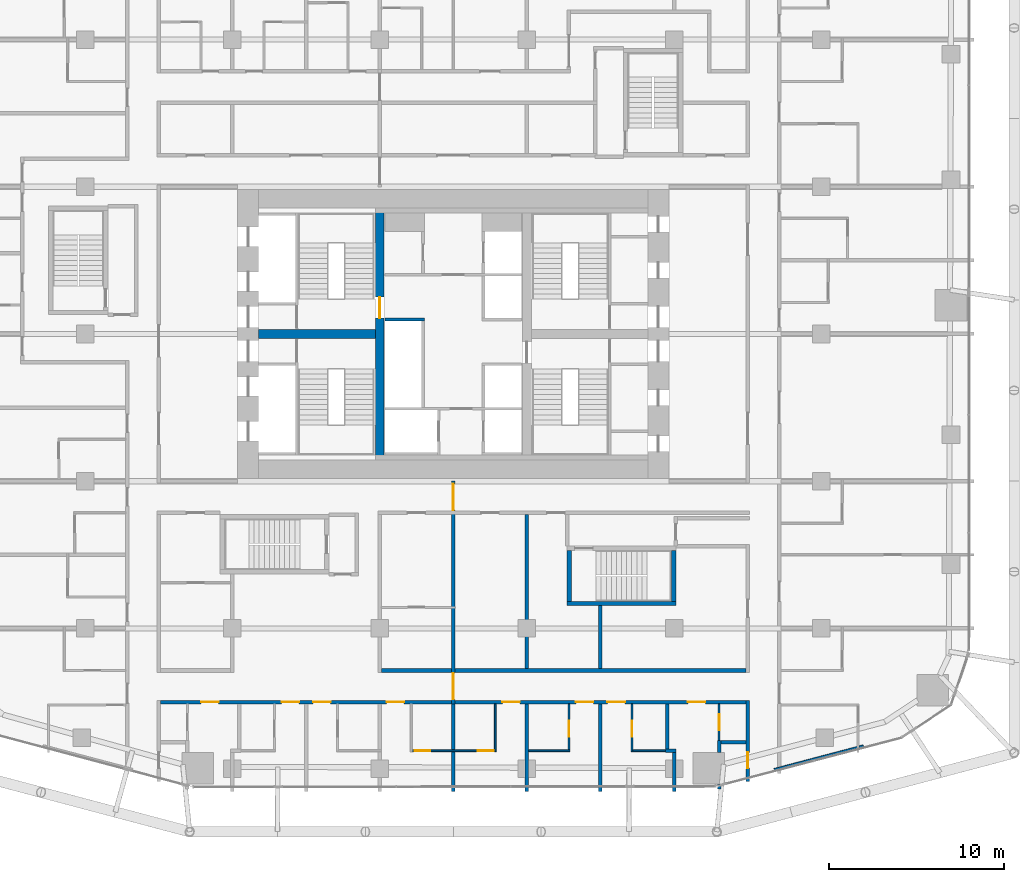
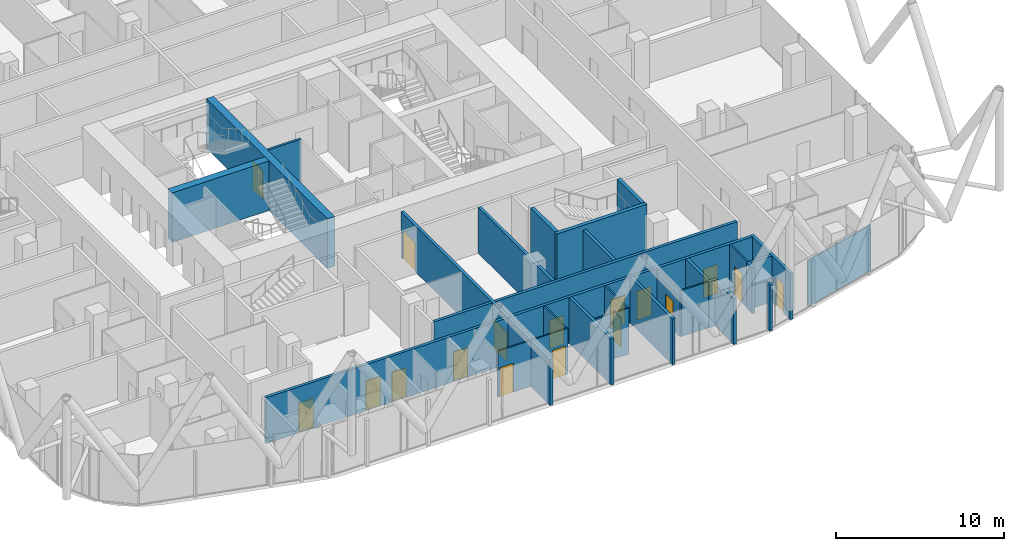
# One storey, part 30 of 38: 29 walls, 17 doors, 17 openings.
"""IFC4 building model written with IfcOpenShell, lengths in metres."""

import ifcopenshell
import ifcopenshell.guid

model = None  # the IFC model being written
_history = None  # IfcOwnerHistory: only IFC2X3 demands one
_inside = {}  # id of a spatial element -> (the spatial element, [elements in it])
_under = {}  # id of a project, library or spatial element -> (it, [spatial elements below it])
_declared = {}  # id of a project -> (the project, [libraries it declares])
_typed = {}  # id of a type object -> (the type object, [elements of that type])
_made_of = {}  # id of a material, layer set ... -> (it, [elements and type objects made of it])


def new_model(schema):
    """Start an empty IFC model of exactly this schema.

    Asked for "IFC4X3", IfcOpenShell would pick the latest addendum, in which some entities
    have other attributes; the version numbers below select the first issue.
    IFC2X3 requires an IfcOwnerHistory on every rooted entity: one is made here for all.
    """
    global model, _history
    if schema == "IFC4X3":
        model = ifcopenshell.file(schema_version=(4, 3, 0, 0))
    else:
        model = ifcopenshell.file(schema=schema)
    _inside.clear()
    _under.clear()
    _declared.clear()
    _typed.clear()
    _made_of.clear()
    _history = None
    if model.schema == "IFC2X3":
        org = make("IfcOrganization", Name="unknown")
        user = make(
            "IfcPersonAndOrganization",
            ThePerson=make("IfcPerson", FamilyName="unknown"),
            TheOrganization=org,
        )
        app = make(
            "IfcApplication",
            ApplicationDeveloper=org,
            Version="unknown",
            ApplicationFullName="unknown",
            ApplicationIdentifier="unknown",
        )
        _history = make(
            "IfcOwnerHistory",
            OwningUser=user,
            OwningApplication=app,
            ChangeAction="ADDED",
            CreationDate=0,
        )
    return model


def make(cls, **values):
    """One entity of the class cls with the attributes given. An attribute that is None is left unset."""
    return model.create_entity(
        cls, **{name: value for name, value in values.items() if value is not None}
    )


def rooted(cls, **values):
    """An entity with a GlobalId (a new one), such as an element, a storey or a relation."""
    return make(cls, GlobalId=ifcopenshell.guid.new(), OwnerHistory=_history, **values)


def si_unit(unit_type, name, prefix=None):
    """IfcSIUnit, for example si_unit("LENGTHUNIT", "METRE", prefix="MILLI")."""
    return make("IfcSIUnit", UnitType=unit_type, Prefix=prefix, Name=name)


def assignment(units):
    """IfcUnitAssignment: the units of a project."""
    return None if units is None else make("IfcUnitAssignment", Units=units)


def point(xyz):
    """IfcCartesianPoint."""
    return None if xyz is None else make("IfcCartesianPoint", Coordinates=xyz)


def direction(xyz):
    """IfcDirection."""
    return None if xyz is None else make("IfcDirection", DirectionRatios=xyz)


def frame(location, z_axis=None, x_axis=None):
    """IfcAxis2Placement3D, a coordinate frame: its origin and axes. An axis left out is left unset."""
    return make(
        "IfcAxis2Placement3D",
        Location=point(location),
        Axis=direction(z_axis),
        RefDirection=direction(x_axis),
    )


def frame_2d(location, x_axis=None):
    """IfcAxis2Placement2D, a coordinate frame in the plane: its origin and x axis."""
    return make(
        "IfcAxis2Placement2D", Location=point(location), RefDirection=direction(x_axis)
    )


def origin():
    """The frame at (0, 0, 0) with its axes left unset."""
    return frame((0.0, 0.0, 0.0))


def place(relative_to, where):
    """IfcLocalPlacement: puts the frame where relative to a parent placement (None: the world)."""
    return make(
        "IfcLocalPlacement", PlacementRelTo=relative_to, RelativePlacement=where
    )


def context(
    kind, dimensions, precision=None, world=None, true_north=None, identifier=None
):
    """IfcGeometricRepresentationContext, for example the 3D "Model" context."""
    return make(
        "IfcGeometricRepresentationContext",
        ContextIdentifier=identifier,
        ContextType=kind,
        CoordinateSpaceDimension=dimensions,
        Precision=precision,
        WorldCoordinateSystem=world,
        TrueNorth=true_north,
    )


def subcontext(parent, identifier, kind, view, scale=None):
    """IfcGeometricRepresentationSubContext, for example "Body" below "Model"."""
    return make(
        "IfcGeometricRepresentationSubContext",
        ContextIdentifier=identifier,
        ContextType=kind,
        ParentContext=parent,
        TargetScale=scale,
        TargetView=view,
    )


def project(units=None, contexts=None):
    """IfcProject with its units and contexts."""
    return rooted(
        "IfcProject",
        Name="project",
        RepresentationContexts=contexts,
        UnitsInContext=assignment(units),
    )


def spatial(cls, under=None, at=None, **own):
    """A site, building, storey or space (cls), placed at a placement, below another one or the project."""
    s = rooted(cls, ObjectPlacement=at, **own)
    if under is not None:
        _under.setdefault(under.id(), (under, []))[1].append(s)
    return s


def profile(cls, at=None, kind="AREA", **sizes):
    """A parametric profile (cls). Its sizes go by their IFC names, for example OverallWidth=200.0."""
    return make(cls, ProfileType=kind, Position=at, **sizes)


def rectangle(**sizes):
    """IfcRectangleProfileDef."""
    return profile("IfcRectangleProfileDef", **sizes)


def extrude(swept, where, along, depth):
    """IfcExtrudedAreaSolid: the profile swept, set in the frame where, extruded along a direction by depth."""
    return make(
        "IfcExtrudedAreaSolid",
        SweptArea=swept,
        Position=where,
        ExtrudedDirection=direction(along),
        Depth=depth,
    )


def shape(context_of_items, identifier, shape_type, items):
    """IfcShapeRepresentation: the items that make up one representation, for example the "Body"."""
    return make(
        "IfcShapeRepresentation",
        ContextOfItems=context_of_items,
        RepresentationIdentifier=identifier,
        RepresentationType=shape_type,
        Items=items,
    )


def material(Name=None, Category=None):
    """IfcMaterial."""
    return make("IfcMaterial", Name=Name, Category=Category)


def layer(
    of_material, thickness, ventilated=None, Name=None, Category=None, Priority=None
):
    """IfcMaterialLayer: one layer of a wall or slab, of a material (None: an air gap)."""
    return make(
        "IfcMaterialLayer",
        Material=of_material,
        LayerThickness=thickness,
        IsVentilated=ventilated,
        Name=Name,
        Category=Category,
        Priority=Priority,
    )


def layer_set(layers, Name=None):
    """IfcMaterialLayerSet."""
    return make("IfcMaterialLayerSet", MaterialLayers=layers, LayerSetName=Name)


def made_of(thing, what):
    """Note that an element or type object is made of a material, layer set ...; save() writes the relation."""
    if what is not None:
        _made_of.setdefault(what.id(), (what, []))[1].append(thing)
    return thing


def type_object(cls, material=None, **own):
    """A type object (cls), such as IfcWallType, which elements share."""
    return made_of(rooted(cls, **own), material)


def element(
    cls,
    number,
    at=None,
    inside=None,
    cuts=None,
    type_object=None,
    material=None,
    context=None,
    identifier="Body",
    shape_type=None,
    held_by="IfcProductDefinitionShape",
    body=None,
    shapes=None,
    **own,
):
    """One element of the class cls, such as IfcWall. Its Tag is "e" and its number.

    at: its placement. inside: the storey or other place that contains it. cuts: it is an
    opening in that element (IfcRelVoidsElement). A single representation is given by context,
    identifier, shape_type and body (its items); several are given by shapes. held_by: the class
    of the entity that holds the representations. save() writes the other relations.
    """
    e = rooted(cls, Tag="e%d" % number, ObjectPlacement=at, **own)
    if body is not None:
        shapes = [shape(context, identifier, shape_type, body)]
    if shapes is not None:
        e.Representation = make(held_by, Representations=shapes)
    if inside is not None:
        _inside.setdefault(inside.id(), (inside, []))[1].append(e)
    if cuts is not None:
        rooted(
            "IfcRelVoidsElement", RelatingBuildingElement=cuts, RelatedOpeningElement=e
        )
    if type_object is not None:
        _typed.setdefault(type_object.id(), (type_object, []))[1].append(e)
    return made_of(e, material)


def fill(opening, filler):
    """IfcRelFillsElement: the door or window that sits in an opening."""
    return rooted(
        "IfcRelFillsElement",
        RelatingOpeningElement=opening,
        RelatedBuildingElement=filler,
    )


def aggregate(whole, parts):
    """IfcRelAggregates: a whole, such as a stair, and the parts it consists of."""
    return rooted("IfcRelAggregates", RelatingObject=whole, RelatedObjects=parts)


def save(model, path):
    """Write the relations noted so far, then the file.

    IfcRelAggregates (storeys below a building ...), IfcRelContainedInSpatialStructure (elements
    in a storey), IfcRelDefinesByType, IfcRelAssociatesMaterial and IfcRelDeclares: one each for
    every whole, place, type object, material and project.
    """
    for whole, parts in _under.values():
        aggregate(whole, parts)
    for where, things in _inside.values():
        rooted(
            "IfcRelContainedInSpatialStructure",
            RelatedElements=things,
            RelatingStructure=where,
        )
    for kind, things in _typed.values():
        rooted("IfcRelDefinesByType", RelatedObjects=things, RelatingType=kind)
    for what, things in _made_of.values():
        rooted("IfcRelAssociatesMaterial", RelatedObjects=things, RelatingMaterial=what)
    for by, libraries in _declared.values():
        rooted("IfcRelDeclares", RelatingContext=by, RelatedDefinitions=libraries)
    model.write(path)


model = new_model("IFC4")

# Units and contexts
model_context = context("Model", 3, precision=1e-05, world=origin(), true_north=direction((0.0, 1.0)))
body_context = subcontext(model_context, "Body", "Model", "MODEL_VIEW")
ifc_project = project(units=[si_unit("LENGTHUNIT", "METRE"), si_unit("AREAUNIT", "SQUARE_METRE"), si_unit("VOLUMEUNIT", "CUBIC_METRE"), si_unit("PLANEANGLEUNIT", "RADIAN"), si_unit("MASSUNIT", "GRAM", prefix="KILO")], contexts=[model_context])

# Site, building, storey
site_placement = place(None, origin())
site = spatial("IfcSite", under=ifc_project, at=site_placement, CompositionType="ELEMENT")
building_placement = place(site_placement, origin())
building = spatial("IfcBuilding", under=site, at=building_placement, Name="Marenta Gate Hotel Tower", CompositionType="ELEMENT")
storey_placement = place(building_placement, frame((0.0, 0.0, 40.10009765625)))
storey = spatial("IfcBuildingStorey", under=building, at=storey_placement, Name="L07", CompositionType="ELEMENT", Elevation=40.10009765625)

# Wall
ifc_material_1 = material(Name="Concrete blockwork", Category="masonry")
ifc_layer_1 = layer(ifc_material_1, 0.199951171875)
ifc_layer_set_1 = layer_set([ifc_layer_1], Name="Concrete blockwork")
wall_type_1 = type_object("IfcWallType", Name="Compartment wall 200 REI 180", PredefinedType="PARTITIONING", material=ifc_layer_set_1)
wall_1_placement = place(storey_placement, frame((0.0, -17.699951171875, 0.0), z_axis=(0.0, 0.0, 1.0), x_axis=(0.0, 1.0, 0.0)))
element("IfcWall", 1, at=wall_1_placement, inside=storey, type_object=wall_type_1, Name="L07-PTN-W069", PredefinedType="PARTITIONING", context=body_context, shape_type="SweptSolid", body=[
    extrude(rectangle(XDim=5.0, YDim=0.199951171875, at=frame_2d((2.5, 0.0))), origin(), (0.0, 0.0, 1.0), 3.33984375),
])

# Wall, openings, doors
wall_2_placement = place(storey_placement, frame((0.0, -12.699951171875, 0.0), z_axis=(0.0, 0.0, 1.0), x_axis=(0.0, 1.0, 0.0)))
wall_2 = element("IfcWall", 2, at=wall_2_placement, inside=storey, type_object=wall_type_1, Name="L07-PTN-W070", PredefinedType="PARTITIONING", context=body_context, shape_type="SweptSolid", body=[
    extrude(rectangle(XDim=12.699951171875, YDim=0.199951171875, at=frame_2d((6.35009765625, 0.0))), origin(), (0.0, 0.0, 1.0), 3.33984375),
])
opening_1_placement = place(wall_2_placement, frame((11.050048828125, 0.0, 0.0)))
opening_1 = element("IfcOpeningElement", 3, at=opening_1_placement, cuts=wall_2, Name="Opening G02-FD3", PredefinedType="OPENING", context=body_context, shape_type="SweptSolid", body=[
    extrude(rectangle(XDim=1.5, YDim=2.10009765625, at=frame_2d((0.75, 1.050048828125))), frame((0.0, 0.10009765625, 0.0), z_axis=(0.0, -1.0, 0.0), x_axis=(1.0, 0.0, 0.0)), (0.0, 0.0, 1.0), 0.199951171875),
])
opening_2_placement = place(wall_2_placement, frame((0.25, 0.0, 0.0)))
opening_2 = element("IfcOpeningElement", 4, at=opening_2_placement, cuts=wall_2, Name="Opening G02-FD4", PredefinedType="OPENING", context=body_context, shape_type="SweptSolid", body=[
    extrude(rectangle(XDim=1.5, YDim=2.10009765625, at=frame_2d((0.75, 1.050048828125))), frame((0.0, 0.10009765625, 0.0), z_axis=(0.0, -1.0, 0.0), x_axis=(1.0, 0.0, 0.0)), (0.0, 0.0, 1.0), 0.199951171875),
])
ifc_material_2 = material(Name="Hollow steel door set", Category="steel")
door_type_1 = type_object("IfcDoorType", Name="Compartment fire door 1500x2100 EI 60", OperationType="DOUBLE_DOOR_DOUBLE_SWING", PredefinedType="DOOR", material=ifc_material_2)
door_1_placement = place(opening_1_placement, origin())
door_1 = element("IfcDoor", 5, at=door_1_placement, inside=storey, type_object=door_type_1, Name="L07-PD-FD03", OperationType="DOUBLE_DOOR_DOUBLE_SWING", OverallHeight=2.10009765625, OverallWidth=1.5, PredefinedType="DOOR", context=body_context, shape_type="SweptSolid", body=[
    extrude(rectangle(XDim=1.5, YDim=2.10009765625, at=frame_2d((0.75, 1.050048828125))), frame((0.0, 0.02490234375, 0.0), z_axis=(0.0, -1.0, 0.0), x_axis=(1.0, 0.0, 0.0)), (0.0, 0.0, 1.0), 0.050048828125),
])
fill(opening_1, door_1)
door_2_placement = place(opening_2_placement, origin())
door_2 = element("IfcDoor", 6, at=door_2_placement, inside=storey, type_object=door_type_1, Name="L07-PD-FD04", OperationType="DOUBLE_DOOR_DOUBLE_SWING", OverallHeight=2.10009765625, OverallWidth=1.5, PredefinedType="DOOR", context=body_context, shape_type="SweptSolid", body=[
    extrude(rectangle(XDim=1.5, YDim=2.10009765625, at=frame_2d((0.75, 1.050048828125))), frame((0.0, 0.02490234375, 0.0), z_axis=(0.0, -1.0, 0.0), x_axis=(1.0, 0.0, 0.0)), (0.0, 0.0, 1.0), 0.050048828125),
])
fill(opening_2, door_2)

# Wall
ifc_material_3 = material(Name="Concrete C40", Category="concrete")
ifc_layer_2 = layer(ifc_material_3, 0.14990234375)
ifc_layer_set_2 = layer_set([ifc_layer_2], Name="Concrete C40")
wall_type_2 = type_object("IfcWallType", Name="Core shaft wall 150 REI 180", PredefinedType="SHEAR", material=ifc_layer_set_2)
wall_3_placement = place(storey_placement, frame((-3.89990234375, 9.22509765625, 0.0), z_axis=(0.0, 0.0, 1.0), x_axis=(1.0, 0.0, 0.0)))
element("IfcWall", 7, at=wall_3_placement, inside=storey, type_object=wall_type_2, Name="L07-SHF-CW-W-sep", PredefinedType="SHEAR", context=body_context, shape_type="SweptSolid", body=[
    extrude(rectangle(XDim=2.25, YDim=0.14990234375, at=frame_2d((1.125, 0.0))), origin(), (0.0, 0.0, 1.0), 3.599853515625),
])

# Wall, opening, door
ifc_material_4 = material(Name="Concrete C80", Category="concrete")
ifc_layer_3 = layer(ifc_material_4, 0.5)
ifc_layer_set_3 = layer_set([ifc_layer_3], Name="Concrete C80")
wall_type_3 = type_object("IfcWallType", Name="Core web 500 C80", PredefinedType="SHEAR", material=ifc_layer_set_3)
wall_4_placement = place(storey_placement, frame((-4.199951171875, 1.199951171875, 0.0), z_axis=(0.0, 0.0, 1.0), x_axis=(0.0, 1.0, 0.0)))
wall_4 = element("IfcWall", 8, at=wall_4_placement, inside=storey, type_object=wall_type_3, Name="L07-CORE-W1", PredefinedType="SHEAR", context=body_context, shape_type="SweptSolid", body=[
    extrude(rectangle(XDim=14.400146484375, YDim=0.5, at=frame_2d((7.2001953125, 0.0))), origin(), (0.0, 0.0, 1.0), 3.599853515625),
])
opening_3_placement = place(wall_4_placement, frame((8.10009765625, 0.0, 0.0)))
opening_3 = element("IfcOpeningElement", 9, at=opening_3_placement, cuts=wall_4, Name="Opening WD-W", PredefinedType="OPENING", context=body_context, shape_type="SweptSolid", body=[
    extrude(rectangle(XDim=1.199951171875, YDim=2.10009765625, at=frame_2d((0.60009765625, 1.050048828125))), frame((0.0, 0.25, 0.0), z_axis=(0.0, -1.0, 0.0), x_axis=(1.0, 0.0, 0.0)), (0.0, 0.0, 1.0), 0.5),
])
ifc_material_5 = material(Name="Steel", Category="steel")
door_type_2 = type_object("IfcDoorType", Name="Core stair door 1200x2100 FD60", OperationType="SINGLE_SWING_LEFT", PredefinedType="DOOR", material=ifc_material_5)
door_3_placement = place(opening_3_placement, origin())
door_3 = element("IfcDoor", 10, at=door_3_placement, inside=storey, type_object=door_type_2, Name="WD-W", OperationType="SINGLE_SWING_LEFT", OverallHeight=2.10009765625, OverallWidth=1.199951171875, PredefinedType="DOOR", context=body_context, shape_type="SweptSolid", body=[
    extrude(rectangle(XDim=1.199951171875, YDim=2.10009765625, at=frame_2d((0.60009765625, 1.050048828125))), frame((0.0, 0.02490234375, 0.0), z_axis=(0.0, -1.0, 0.0), x_axis=(1.0, 0.0, 0.0)), (0.0, 0.0, 1.0), 0.050048828125),
])
fill(opening_3, door_3)

# Walls
wall_5_placement = place(storey_placement, frame((-11.10009765625, 8.39990234375, 0.0), z_axis=(0.0, 0.0, 1.0), x_axis=(1.0, 0.0, 0.0)))
element("IfcWall", 11, at=wall_5_placement, inside=storey, type_object=wall_type_3, Name="L07-CORE-W3", PredefinedType="SHEAR", context=body_context, shape_type="SweptSolid", body=[
    extrude(rectangle(XDim=6.650146484375, YDim=0.5, at=frame_2d((3.3251953125, 0.0))), origin(), (0.0, 0.0, 1.0), 3.599853515625),
])
ifc_material_6 = material(Name="Concrete C40", Category="concrete")
ifc_layer_4 = layer(ifc_material_6, 0.25)
ifc_layer_set_4 = layer_set([ifc_layer_4], Name="Concrete C40")
wall_type_4 = type_object("IfcWallType", Name="Remote stair enclosure wall 250 REI 180", PredefinedType="SHEAR", material=ifc_layer_set_4)
wall_6_placement = place(storey_placement, frame((6.5, -6.97509765625, 0.099853515625), z_axis=(0.0, 0.0, 1.0), x_axis=(1.0, 0.0, 0.0)))
element("IfcWall", 12, at=wall_6_placement, inside=storey, type_object=wall_type_4, Name="L07-RS-Z1-1-W1", PredefinedType="SHEAR", context=body_context, shape_type="SweptSolid", body=[
    extrude(rectangle(XDim=6.199951171875, YDim=0.25, at=frame_2d((3.10009765625, 0.0))), origin(), (0.0, 0.0, 1.0), 3.60009765625),
])
for number, where, z_axis, x_axis, name in (
    (13, (6.625, -6.85009765625, 0.099853515625), (0.0, 0.0, 1.0), (0.0, 1.0, 0.0), "L07-RS-Z1-1-W3"),
    (14, (12.574951171875, -6.85009765625, 0.099853515625), (0.0, 0.0, 1.0), (0.0, 1.0, 0.0), "L07-RS-Z1-1-W4"),
):
    element("IfcWall", number, at=place(storey_placement, frame(where, z_axis=z_axis, x_axis=x_axis)), inside=storey, type_object=wall_type_4, Name=name, PredefinedType="SHEAR", context=body_context, shape_type="SweptSolid", body=[
        extrude(rectangle(XDim=2.900146484375, YDim=0.25, at=frame_2d((1.4501953125, 0.0))), origin(), (0.0, 0.0, 1.0), 3.60009765625),
    ])

# Wall, opening, door
ifc_material_7 = material(Name="Concrete blockwork", Category="masonry")
ifc_layer_5 = layer(ifc_material_7, 0.199951171875)
ifc_layer_set_5 = layer_set([ifc_layer_5], Name="Concrete blockwork")
wall_type_5 = type_object("IfcWallType", Name="Room corridor wall 200 EI 120", PredefinedType="PARTITIONING", material=ifc_layer_set_5)
wall_7_placement = place(storey_placement, frame((16.800048828125, -17.14306640625, 0.0), z_axis=(0.0, 0.0, 1.0), x_axis=(0.0, 1.0, 0.0)))
wall_7 = element("IfcWall", 15, at=wall_7_placement, inside=storey, type_object=wall_type_5, Name="L07-PTN-W013", PredefinedType="PARTITIONING", context=body_context, shape_type="SweptSolid", body=[
    extrude(rectangle(XDim=4.64306640625, YDim=0.199951171875, at=frame_2d((2.321533203125, 0.0))), origin(), (0.0, 0.0, 1.0), 3.33984375),
])
opening_4_placement = place(wall_7_placement, frame((0.77197265625, 0.0, 0.0)))
opening_4 = element("IfcOpeningElement", 16, at=opening_4_placement, cuts=wall_7, Name="Opening G02-81", PredefinedType="OPENING", context=body_context, shape_type="SweptSolid", body=[
    extrude(rectangle(XDim=0.89990234375, YDim=2.10009765625, at=frame_2d((0.449951171875, 1.050048828125))), frame((0.0, 0.10009765625, 0.0), z_axis=(0.0, -1.0, 0.0), x_axis=(1.0, 0.0, 0.0)), (0.0, 0.0, 1.0), 0.199951171875),
])
ifc_material_8 = material(Name="Hollow steel door set", Category="steel")
door_type_3 = type_object("IfcDoorType", Name="Room service door 900x2100 EI 60", OperationType="NOTDEFINED", PredefinedType="DOOR", material=ifc_material_8)
door_4_placement = place(opening_4_placement, origin())
door_4 = element("IfcDoor", 17, at=door_4_placement, inside=storey, type_object=door_type_3, Name="L07-PD-D081", OperationType="SINGLE_SWING_RIGHT", OverallHeight=2.10009765625, OverallWidth=0.89990234375, PredefinedType="DOOR", context=body_context, shape_type="SweptSolid", body=[
    extrude(rectangle(XDim=0.89990234375, YDim=2.10009765625, at=frame_2d((0.449951171875, 1.050048828125))), frame((0.0, 0.02490234375, 0.0), z_axis=(0.0, -1.0, 0.0), x_axis=(1.0, 0.0, 0.0)), (0.0, 0.0, 1.0), 0.050048828125),
])
fill(opening_4, door_4)

# Wall
wall_8_placement = place(storey_placement, frame((-4.10009765625, -10.800048828125, 0.0), z_axis=(0.0, 0.0, 1.0), x_axis=(1.0, 0.0, 0.0)))
element("IfcWall", 18, at=wall_8_placement, inside=storey, type_object=wall_type_5, Name="L07-PTN-W039", PredefinedType="PARTITIONING", context=body_context, shape_type="SweptSolid", body=[
    extrude(rectangle(XDim=20.800048828125, YDim=0.199951171875, at=frame_2d((10.39990234375, 0.0))), origin(), (0.0, 0.0, 1.0), 3.33984375),
])

# Wall, openings, doors
ifc_material_9 = material(Name="Gypsum board on steel stud", Category="steel")
ifc_layer_6 = layer(ifc_material_9, 0.199951171875)
ifc_layer_set_6 = layer_set([ifc_layer_6], Name="Gypsum board on steel stud")
wall_type_6 = type_object("IfcWallType", Name="Room corridor wall 200 EI 60", PredefinedType="PARTITIONING", material=ifc_layer_set_6)
wall_9_placement = place(storey_placement, frame((-16.699951171875, -12.60009765625, 0.0), z_axis=(0.0, 0.0, 1.0), x_axis=(1.0, 0.0, 0.0)))
wall_9 = element("IfcWall", 19, at=wall_9_placement, inside=storey, type_object=wall_type_6, Name="L07-PTN-W034", PredefinedType="PARTITIONING", context=body_context, shape_type="SweptSolid", body=[
    extrude(rectangle(XDim=33.39990234375, YDim=0.199951171875, at=frame_2d((16.699951171875, 0.0))), origin(), (0.0, 0.0, 1.0), 3.33984375),
])
opening_5_placement = place(wall_9_placement, frame((6.89990234375, 0.0, 0.0)))
opening_5 = element("IfcOpeningElement", 20, at=opening_5_placement, cuts=wall_9, Name="Opening G02-40", PredefinedType="OPENING", context=body_context, shape_type="SweptSolid", body=[
    extrude(rectangle(XDim=1.0, YDim=2.10009765625, at=frame_2d((0.5, 1.050048828125))), frame((0.0, 0.10009765625, 0.0), z_axis=(0.0, -1.0, 0.0), x_axis=(1.0, 0.0, 0.0)), (0.0, 0.0, 1.0), 0.199951171875),
])
opening_6_placement = place(wall_9_placement, frame((8.699951171875, 0.0, 0.0)))
opening_6 = element("IfcOpeningElement", 21, at=opening_6_placement, cuts=wall_9, Name="Opening G02-42", PredefinedType="OPENING", context=body_context, shape_type="SweptSolid", body=[
    extrude(rectangle(XDim=1.0, YDim=2.10009765625, at=frame_2d((0.5, 1.050048828125))), frame((0.0, 0.10009765625, 0.0), z_axis=(0.0, -1.0, 0.0), x_axis=(1.0, 0.0, 0.0)), (0.0, 0.0, 1.0), 0.199951171875),
])
opening_7_placement = place(wall_9_placement, frame((12.89990234375, 0.0, 0.0)))
opening_7 = element("IfcOpeningElement", 22, at=opening_7_placement, cuts=wall_9, Name="Opening G02-44", PredefinedType="OPENING", context=body_context, shape_type="SweptSolid", body=[
    extrude(rectangle(XDim=1.0, YDim=2.10009765625, at=frame_2d((0.5, 1.050048828125))), frame((0.0, 0.10009765625, 0.0), z_axis=(0.0, -1.0, 0.0), x_axis=(1.0, 0.0, 0.0)), (0.0, 0.0, 1.0), 0.199951171875),
])
opening_8_placement = place(wall_9_placement, frame((19.5, 0.0, 0.0)))
opening_8 = element("IfcOpeningElement", 23, at=opening_8_placement, cuts=wall_9, Name="Opening G02-46", PredefinedType="OPENING", context=body_context, shape_type="SweptSolid", body=[
    extrude(rectangle(XDim=1.0, YDim=2.10009765625, at=frame_2d((0.5, 1.050048828125))), frame((0.0, 0.10009765625, 0.0), z_axis=(0.0, -1.0, 0.0), x_axis=(1.0, 0.0, 0.0)), (0.0, 0.0, 1.0), 0.199951171875),
])
opening_9_placement = place(wall_9_placement, frame((23.699951171875, 0.0, 0.0)))
opening_9 = element("IfcOpeningElement", 24, at=opening_9_placement, cuts=wall_9, Name="Opening G02-48", PredefinedType="OPENING", context=body_context, shape_type="SweptSolid", body=[
    extrude(rectangle(XDim=1.0, YDim=2.10009765625, at=frame_2d((0.5, 1.050048828125))), frame((0.0, 0.10009765625, 0.0), z_axis=(0.0, -1.0, 0.0), x_axis=(1.0, 0.0, 0.0)), (0.0, 0.0, 1.0), 0.199951171875),
])
opening_10_placement = place(wall_9_placement, frame((25.5, 0.0, 0.0)))
opening_10 = element("IfcOpeningElement", 25, at=opening_10_placement, cuts=wall_9, Name="Opening G02-50", PredefinedType="OPENING", context=body_context, shape_type="SweptSolid", body=[
    extrude(rectangle(XDim=1.0, YDim=2.10009765625, at=frame_2d((0.5, 1.050048828125))), frame((0.0, 0.10009765625, 0.0), z_axis=(0.0, -1.0, 0.0), x_axis=(1.0, 0.0, 0.0)), (0.0, 0.0, 1.0), 0.199951171875),
])
opening_11_placement = place(wall_9_placement, frame((2.31689453125, 0.0, 0.0)))
opening_11 = element("IfcOpeningElement", 26, at=opening_11_placement, cuts=wall_9, Name="Opening G02-76", PredefinedType="OPENING", context=body_context, shape_type="SweptSolid", body=[
    extrude(rectangle(XDim=1.0, YDim=2.10009765625, at=frame_2d((0.5, 1.050048828125))), frame((0.0, 0.10009765625, 0.0), z_axis=(0.0, -1.0, 0.0), x_axis=(1.0, 0.0, 0.0)), (0.0, 0.0, 1.0), 0.199951171875),
])
opening_12_placement = place(wall_9_placement, frame((30.0830078125, 0.0, 0.0)))
opening_12 = element("IfcOpeningElement", 27, at=opening_12_placement, cuts=wall_9, Name="Opening G02-79", PredefinedType="OPENING", context=body_context, shape_type="SweptSolid", body=[
    extrude(rectangle(XDim=1.0, YDim=2.10009765625, at=frame_2d((0.5, 1.050048828125))), frame((0.0, 0.10009765625, 0.0), z_axis=(0.0, -1.0, 0.0), x_axis=(1.0, 0.0, 0.0)), (0.0, 0.0, 1.0), 0.199951171875),
])
ifc_material_10 = material(Name="Timber door leaf", Category="wood")
door_type_4 = type_object("IfcDoorType", Name="Guest room door 1000x2100 EI 30", OperationType="NOTDEFINED", PredefinedType="DOOR", material=ifc_material_10)
door_5_placement = place(opening_5_placement, origin())
door_5 = element("IfcDoor", 28, at=door_5_placement, inside=storey, type_object=door_type_4, Name="L07-PD-D040", OperationType="SINGLE_SWING_RIGHT", OverallHeight=2.10009765625, OverallWidth=1.0, PredefinedType="DOOR", context=body_context, shape_type="SweptSolid", body=[
    extrude(rectangle(XDim=1.0, YDim=2.10009765625, at=frame_2d((0.5, 1.050048828125))), frame((0.0, 0.02490234375, 0.0), z_axis=(0.0, -1.0, 0.0), x_axis=(1.0, 0.0, 0.0)), (0.0, 0.0, 1.0), 0.050048828125),
])
fill(opening_5, door_5)
door_6_placement = place(opening_6_placement, origin())
door_6 = element("IfcDoor", 29, at=door_6_placement, inside=storey, type_object=door_type_4, Name="L07-PD-D042", OperationType="SINGLE_SWING_RIGHT", OverallHeight=2.10009765625, OverallWidth=1.0, PredefinedType="DOOR", context=body_context, shape_type="SweptSolid", body=[
    extrude(rectangle(XDim=1.0, YDim=2.10009765625, at=frame_2d((0.5, 1.050048828125))), frame((0.0, 0.02490234375, 0.0), z_axis=(0.0, -1.0, 0.0), x_axis=(1.0, 0.0, 0.0)), (0.0, 0.0, 1.0), 0.050048828125),
])
fill(opening_6, door_6)
door_7_placement = place(opening_7_placement, origin())
door_7 = element("IfcDoor", 30, at=door_7_placement, inside=storey, type_object=door_type_4, Name="L07-PD-D044", OperationType="SINGLE_SWING_RIGHT", OverallHeight=2.10009765625, OverallWidth=1.0, PredefinedType="DOOR", context=body_context, shape_type="SweptSolid", body=[
    extrude(rectangle(XDim=1.0, YDim=2.10009765625, at=frame_2d((0.5, 1.050048828125))), frame((0.0, 0.02490234375, 0.0), z_axis=(0.0, -1.0, 0.0), x_axis=(1.0, 0.0, 0.0)), (0.0, 0.0, 1.0), 0.050048828125),
])
fill(opening_7, door_7)
door_8_placement = place(opening_8_placement, origin())
door_8 = element("IfcDoor", 31, at=door_8_placement, inside=storey, type_object=door_type_4, Name="L07-PD-D046", OperationType="SINGLE_SWING_RIGHT", OverallHeight=2.10009765625, OverallWidth=1.0, PredefinedType="DOOR", context=body_context, shape_type="SweptSolid", body=[
    extrude(rectangle(XDim=1.0, YDim=2.10009765625, at=frame_2d((0.5, 1.050048828125))), frame((0.0, 0.02490234375, 0.0), z_axis=(0.0, -1.0, 0.0), x_axis=(1.0, 0.0, 0.0)), (0.0, 0.0, 1.0), 0.050048828125),
])
fill(opening_8, door_8)
door_9_placement = place(opening_9_placement, origin())
door_9 = element("IfcDoor", 32, at=door_9_placement, inside=storey, type_object=door_type_4, Name="L07-PD-D048", OperationType="SINGLE_SWING_RIGHT", OverallHeight=2.10009765625, OverallWidth=1.0, PredefinedType="DOOR", context=body_context, shape_type="SweptSolid", body=[
    extrude(rectangle(XDim=1.0, YDim=2.10009765625, at=frame_2d((0.5, 1.050048828125))), frame((0.0, 0.02490234375, 0.0), z_axis=(0.0, -1.0, 0.0), x_axis=(1.0, 0.0, 0.0)), (0.0, 0.0, 1.0), 0.050048828125),
])
fill(opening_9, door_9)
door_10_placement = place(opening_10_placement, origin())
door_10 = element("IfcDoor", 33, at=door_10_placement, inside=storey, type_object=door_type_4, Name="L07-PD-D050", OperationType="SINGLE_SWING_RIGHT", OverallHeight=2.10009765625, OverallWidth=1.0, PredefinedType="DOOR", context=body_context, shape_type="SweptSolid", body=[
    extrude(rectangle(XDim=1.0, YDim=2.10009765625, at=frame_2d((0.5, 1.050048828125))), frame((0.0, 0.02490234375, 0.0), z_axis=(0.0, -1.0, 0.0), x_axis=(1.0, 0.0, 0.0)), (0.0, 0.0, 1.0), 0.050048828125),
])
fill(opening_10, door_10)
door_11_placement = place(opening_11_placement, origin())
door_11 = element("IfcDoor", 34, at=door_11_placement, inside=storey, type_object=door_type_4, Name="L07-PD-D076", OperationType="SINGLE_SWING_RIGHT", OverallHeight=2.10009765625, OverallWidth=1.0, PredefinedType="DOOR", context=body_context, shape_type="SweptSolid", body=[
    extrude(rectangle(XDim=1.0, YDim=2.10009765625, at=frame_2d((0.5, 1.050048828125))), frame((0.0, 0.02490234375, 0.0), z_axis=(0.0, -1.0, 0.0), x_axis=(1.0, 0.0, 0.0)), (0.0, 0.0, 1.0), 0.050048828125),
])
fill(opening_11, door_11)
door_12_placement = place(opening_12_placement, origin())
door_12 = element("IfcDoor", 35, at=door_12_placement, inside=storey, type_object=door_type_4, Name="L07-PD-D079", OperationType="SINGLE_SWING_LEFT", OverallHeight=2.10009765625, OverallWidth=1.0, PredefinedType="DOOR", context=body_context, shape_type="SweptSolid", body=[
    extrude(rectangle(XDim=1.0, YDim=2.10009765625, at=frame_2d((0.5, 1.050048828125))), frame((0.0, 0.02490234375, 0.0), z_axis=(0.0, -1.0, 0.0), x_axis=(1.0, 0.0, 0.0)), (0.0, 0.0, 1.0), 0.050048828125),
])
fill(opening_12, door_12)

# Wall
ifc_material_11 = material(Name="Gypsum board on steel stud", Category="steel")
ifc_layer_7 = layer(ifc_material_11, 0.10009765625)
ifc_layer_set_7 = layer_set([ifc_layer_7], Name="Gypsum board on steel stud")
wall_type_7 = type_object("IfcWallType", Name="Room partition 100", PredefinedType="PARTITIONING", material=ifc_layer_set_7)
wall_10_placement = place(storey_placement, frame((18.31005859375, -16.44189453125, 0.0), z_axis=(0.0, 0.0, 1.0), x_axis=(0.966552628131, 0.256468354876, 0.0)))
element("IfcWall", 36, at=wall_10_placement, inside=storey, type_object=wall_type_7, Name="L07-PTN-W011", PredefinedType="PARTITIONING", context=body_context, shape_type="SweptSolid", body=[
    extrude(rectangle(XDim=5.255615234375, YDim=0.10009765625, at=frame_2d((2.6279296875, 0.0))), origin(), (0.0, 0.0, 1.0), 3.33984375),
])

# Wall, openings, doors
wall_11_placement = place(storey_placement, frame((-2.35009765625, -15.375, 0.0), z_axis=(0.0, 0.0, 1.0), x_axis=(1.0, 0.0, 0.0)))
wall_11 = element("IfcWall", 37, at=wall_11_placement, inside=storey, type_object=wall_type_7, Name="L07-PTN-W021", PredefinedType="PARTITIONING", context=body_context, shape_type="SweptSolid", body=[
    extrude(rectangle(XDim=4.800048828125, YDim=0.10009765625, at=frame_2d((2.39990234375, 0.0))), origin(), (0.0, 0.0, 1.0), 3.33984375),
])
opening_13_placement = place(wall_11_placement, frame((0.14990234375, 0.0, 0.0)))
opening_13 = element("IfcOpeningElement", 38, at=opening_13_placement, cuts=wall_11, Name="Opening G02-45", PredefinedType="OPENING", context=body_context, shape_type="SweptSolid", body=[
    extrude(rectangle(XDim=0.89990234375, YDim=2.10009765625, at=frame_2d((0.449951171875, 1.050048828125))), frame((0.0, 0.050048828125, 0.0), z_axis=(0.0, -1.0, 0.0), x_axis=(1.0, 0.0, 0.0)), (0.0, 0.0, 1.0), 0.10009765625),
])
opening_14_placement = place(wall_11_placement, frame((3.75, 0.0, 0.0)))
opening_14 = element("IfcOpeningElement", 39, at=opening_14_placement, cuts=wall_11, Name="Opening G02-47", PredefinedType="OPENING", context=body_context, shape_type="SweptSolid", body=[
    extrude(rectangle(XDim=0.89990234375, YDim=2.10009765625, at=frame_2d((0.449951171875, 1.050048828125))), frame((0.0, 0.050048828125, 0.0), z_axis=(0.0, -1.0, 0.0), x_axis=(1.0, 0.0, 0.0)), (0.0, 0.0, 1.0), 0.10009765625),
])
ifc_material_12 = material(Name="Timber door leaf", Category="wood")
door_type_5 = type_object("IfcDoorType", Name="Guest bathroom door 900x2100", OperationType="NOTDEFINED", PredefinedType="DOOR", material=ifc_material_12)
door_13_placement = place(opening_13_placement, origin())
door_13 = element("IfcDoor", 40, at=door_13_placement, inside=storey, type_object=door_type_5, Name="L07-PD-D045", OperationType="SINGLE_SWING_LEFT", OverallHeight=2.10009765625, OverallWidth=0.89990234375, PredefinedType="DOOR", context=body_context, shape_type="SweptSolid", body=[
    extrude(rectangle(XDim=0.89990234375, YDim=2.10009765625, at=frame_2d((0.449951171875, 1.050048828125))), frame((0.0, 0.02490234375, 0.0), z_axis=(0.0, -1.0, 0.0), x_axis=(1.0, 0.0, 0.0)), (0.0, 0.0, 1.0), 0.050048828125),
])
fill(opening_13, door_13)
door_14_placement = place(opening_14_placement, origin())
door_14 = element("IfcDoor", 41, at=door_14_placement, inside=storey, type_object=door_type_5, Name="L07-PD-D047", OperationType="SINGLE_SWING_RIGHT", OverallHeight=2.10009765625, OverallWidth=0.89990234375, PredefinedType="DOOR", context=body_context, shape_type="SweptSolid", body=[
    extrude(rectangle(XDim=0.89990234375, YDim=2.10009765625, at=frame_2d((0.449951171875, 1.050048828125))), frame((0.0, 0.02490234375, 0.0), z_axis=(0.0, -1.0, 0.0), x_axis=(1.0, 0.0, 0.0)), (0.0, 0.0, 1.0), 0.050048828125),
])
fill(opening_14, door_14)

# Walls
wall_12_placement = place(storey_placement, frame((4.300048828125, -15.375, 0.0), z_axis=(0.0, 0.0, 1.0), x_axis=(1.0, 0.0, 0.0)))
element("IfcWall", 42, at=wall_12_placement, inside=storey, type_object=wall_type_7, Name="L07-PTN-W022", PredefinedType="PARTITIONING", context=body_context, shape_type="SweptSolid", body=[
    extrude(rectangle(XDim=2.349853515625, YDim=0.10009765625, at=frame_2d((1.1748046875, 0.0))), origin(), (0.0, 0.0, 1.0), 3.33984375),
])
wall_13_placement = place(storey_placement, frame((10.25, -15.375, 0.0), z_axis=(0.0, 0.0, 1.0), x_axis=(1.0, 0.0, 0.0)))
element("IfcWall", 43, at=wall_13_placement, inside=storey, type_object=wall_type_7, Name="L07-PTN-W023", PredefinedType="PARTITIONING", context=body_context, shape_type="SweptSolid", body=[
    extrude(rectangle(XDim=2.050048828125, YDim=0.10009765625, at=frame_2d((1.02490234375, 0.0))), origin(), (0.0, 0.0, 1.0), 3.33984375),
])

# Wall, opening, door
wall_14_placement = place(storey_placement, frame((15.166015625, -15.0, 0.0), z_axis=(0.0, 0.0, 1.0), x_axis=(0.0, 1.0, 0.0)))
wall_14 = element("IfcWall", 44, at=wall_14_placement, inside=storey, type_object=wall_type_7, Name="L07-PTN-W025", PredefinedType="PARTITIONING", context=body_context, shape_type="SweptSolid", body=[
    extrude(rectangle(XDim=2.300048828125, YDim=0.10009765625, at=frame_2d((1.14990234375, 0.0))), origin(), (0.0, 0.0, 1.0), 3.33984375),
])
opening_15_placement = place(wall_14_placement, frame((0.800048828125, 0.0, 0.0)))
opening_15 = element("IfcOpeningElement", 45, at=opening_15_placement, cuts=wall_14, Name="Opening G02-80", PredefinedType="OPENING", context=body_context, shape_type="SweptSolid", body=[
    extrude(rectangle(XDim=0.89990234375, YDim=2.10009765625, at=frame_2d((0.449951171875, 1.050048828125))), frame((0.0, 0.050048828125, 0.0), z_axis=(0.0, -1.0, 0.0), x_axis=(1.0, 0.0, 0.0)), (0.0, 0.0, 1.0), 0.10009765625),
])
door_15_placement = place(opening_15_placement, origin())
door_15 = element("IfcDoor", 46, at=door_15_placement, inside=storey, type_object=door_type_5, Name="L07-PD-D080", OperationType="SINGLE_SWING_RIGHT", OverallHeight=2.10009765625, OverallWidth=0.89990234375, PredefinedType="DOOR", context=body_context, shape_type="SweptSolid", body=[
    extrude(rectangle(XDim=0.89990234375, YDim=2.10009765625, at=frame_2d((0.449951171875, 1.050048828125))), frame((0.0, 0.02490234375, 0.0), z_axis=(0.0, -1.0, 0.0), x_axis=(1.0, 0.0, 0.0)), (0.0, 0.0, 1.0), 0.050048828125),
])
fill(opening_15, door_15)

wall_15_placement = place(storey_placement, frame((10.199951171875, -15.425048828125, 0.0), z_axis=(0.0, 0.0, 1.0), x_axis=(0.0, 1.0, 0.0)))
wall_15 = element("IfcWall", 47, at=wall_15_placement, inside=storey, type_object=wall_type_7, Name="L07-PTN-W040", PredefinedType="PARTITIONING", context=body_context, shape_type="SweptSolid", body=[
    extrude(rectangle(XDim=2.72509765625, YDim=0.10009765625, at=frame_2d((1.362548828125, 0.0))), origin(), (0.0, 0.0, 1.0), 3.33984375),
])
opening_16_placement = place(wall_15_placement, frame((0.84912109375, 0.0, 0.0)))
opening_16 = element("IfcOpeningElement", 48, at=opening_16_placement, cuts=wall_15, Name="Opening G02-51", PredefinedType="OPENING", context=body_context, shape_type="SweptSolid", body=[
    extrude(rectangle(XDim=0.89990234375, YDim=2.10009765625, at=frame_2d((0.449951171875, 1.050048828125))), frame((0.0, 0.050048828125, 0.0), z_axis=(0.0, -1.0, 0.0), x_axis=(1.0, 0.0, 0.0)), (0.0, 0.0, 1.0), 0.10009765625),
])
door_16_placement = place(opening_16_placement, origin())
door_16 = element("IfcDoor", 49, at=door_16_placement, inside=storey, type_object=door_type_5, Name="L07-PD-D051", OperationType="SINGLE_SWING_RIGHT", OverallHeight=2.10009765625, OverallWidth=0.89990234375, PredefinedType="DOOR", context=body_context, shape_type="SweptSolid", body=[
    extrude(rectangle(XDim=0.89990234375, YDim=2.10009765625, at=frame_2d((0.449951171875, 1.050048828125))), frame((0.0, 0.02490234375, 0.0), z_axis=(0.0, -1.0, 0.0), x_axis=(1.0, 0.0, 0.0)), (0.0, 0.0, 1.0), 0.050048828125),
])
fill(opening_16, door_16)

wall_16_placement = place(storey_placement, frame((6.60009765625, -15.324951171875, 0.0), z_axis=(0.0, 0.0, 1.0), x_axis=(0.0, 1.0, 0.0)))
wall_16 = element("IfcWall", 50, at=wall_16_placement, inside=storey, type_object=wall_type_7, Name="L07-PTN-W048", PredefinedType="PARTITIONING", context=body_context, shape_type="SweptSolid", body=[
    extrude(rectangle(XDim=2.625, YDim=0.10009765625, at=frame_2d((1.3125, 0.0))), origin(), (0.0, 0.0, 1.0), 3.33984375),
])
opening_17_placement = place(wall_16_placement, frame((0.7490234375, 0.0, 0.0)))
opening_17 = element("IfcOpeningElement", 51, at=opening_17_placement, cuts=wall_16, Name="Opening G02-49", PredefinedType="OPENING", context=body_context, shape_type="SweptSolid", body=[
    extrude(rectangle(XDim=0.89990234375, YDim=2.10009765625, at=frame_2d((0.449951171875, 1.050048828125))), frame((0.0, 0.050048828125, 0.0), z_axis=(0.0, -1.0, 0.0), x_axis=(1.0, 0.0, 0.0)), (0.0, 0.0, 1.0), 0.10009765625),
])
door_17_placement = place(opening_17_placement, origin())
door_17 = element("IfcDoor", 52, at=door_17_placement, inside=storey, type_object=door_type_5, Name="L07-PD-D049", OperationType="SINGLE_SWING_LEFT", OverallHeight=2.10009765625, OverallWidth=0.89990234375, PredefinedType="DOOR", context=body_context, shape_type="SweptSolid", body=[
    extrude(rectangle(XDim=0.89990234375, YDim=2.10009765625, at=frame_2d((0.449951171875, 1.050048828125))), frame((0.0, 0.02490234375, 0.0), z_axis=(0.0, -1.0, 0.0), x_axis=(1.0, 0.0, 0.0)), (0.0, 0.0, 1.0), 0.050048828125),
])
fill(opening_17, door_17)

# Walls
wall_17_placement = place(storey_placement, frame((2.39990234375, -15.324951171875, 0.0), z_axis=(0.0, 0.0, 1.0), x_axis=(0.0, 1.0, 0.0)))
element("IfcWall", 53, at=wall_17_placement, inside=storey, type_object=wall_type_7, Name="L07-PTN-W061", PredefinedType="PARTITIONING", context=body_context, shape_type="SweptSolid", body=[
    extrude(rectangle(XDim=2.625, YDim=0.10009765625, at=frame_2d((1.3125, 0.0))), origin(), (0.0, 0.0, 1.0), 3.33984375),
])
ifc_material_13 = material(Name="Concrete blockwork", Category="masonry")
ifc_layer_8 = layer(ifc_material_13, 0.199951171875)
ifc_layer_set_8 = layer_set([ifc_layer_8], Name="Concrete blockwork")
wall_type_8 = type_object("IfcWallType", Name="Room party wall 200 EI 120", PredefinedType="PARTITIONING", material=ifc_layer_set_8)
wall_18_placement = place(storey_placement, frame((15.166015625, -17.572998046875, 0.0), z_axis=(0.0, 0.0, 1.0), x_axis=(0.0, 1.0, 0.0)))
element("IfcWall", 54, at=wall_18_placement, inside=storey, type_object=wall_type_8, Name="L07-PTN-W024", PredefinedType="PARTITIONING", context=body_context, shape_type="SweptSolid", body=[
    extrude(rectangle(XDim=0.298095703125, YDim=0.199951171875, at=frame_2d((0.14892578125, 0.0))), origin(), (0.0, 0.0, 1.0), 3.33984375),
])
wall_19_placement = place(storey_placement, frame((15.166015625, -15.47509765625, 0.0), z_axis=(0.0, 0.0, 1.0), x_axis=(0.0, 1.0, 0.0)))
element("IfcWall", 55, at=wall_19_placement, inside=storey, type_object=wall_type_8, Name="L07-PTN-W156", PredefinedType="PARTITIONING", context=body_context, shape_type="SweptSolid", body=[
    extrude(rectangle(XDim=0.675048828125, YDim=0.199951171875, at=frame_2d((0.33740234375, 0.0))), origin(), (0.0, 0.0, 1.0), 3.33984375),
])
wall_20_placement = place(storey_placement, frame((15.216064453125, -14.89990234375, 0.0), z_axis=(0.0, 0.0, 1.0), x_axis=(1.0, 0.0, 0.0)))
element("IfcWall", 56, at=wall_20_placement, inside=storey, type_object=wall_type_8, Name="L07-PTN-W027", PredefinedType="PARTITIONING", context=body_context, shape_type="SweptSolid", body=[
    extrude(rectangle(XDim=1.48388671875, YDim=0.199951171875, at=frame_2d((0.741943359375, 0.0))), origin(), (0.0, 0.0, 1.0), 3.33984375),
])
ifc_material_14 = material(Name="Gypsum board on steel stud", Category="steel")
ifc_layer_9 = layer(ifc_material_14, 0.199951171875)
ifc_layer_set_9 = layer_set([ifc_layer_9], Name="Gypsum board on steel stud")
wall_type_9 = type_object("IfcWallType", Name="Room party wall 200 EI 60", PredefinedType="PARTITIONING", material=ifc_layer_set_9)
wall_21_placement = place(storey_placement, frame((12.10009765625, -15.375, 0.0), z_axis=(0.0, 0.0, 1.0), x_axis=(1.0, 0.0, 0.0)))
element("IfcWall", 57, at=wall_21_placement, inside=storey, type_object=wall_type_9, Name="L07-PTN-W018", PredefinedType="PARTITIONING", context=body_context, shape_type="SweptSolid", body=[
    extrude(rectangle(XDim=0.599853515625, YDim=0.199951171875, at=frame_2d((0.2998046875, 0.0))), origin(), (0.0, 0.0, 1.0), 3.33984375),
])
wall_22_placement = place(storey_placement, frame((12.60009765625, -17.699951171875, 0.0), z_axis=(0.0, 0.0, 1.0), x_axis=(0.0, 1.0, 0.0)))
element("IfcWall", 58, at=wall_22_placement, inside=storey, type_object=wall_type_9, Name="L07-PTN-W032", PredefinedType="PARTITIONING", context=body_context, shape_type="SweptSolid", body=[
    extrude(rectangle(XDim=2.224853515625, YDim=0.199951171875, at=frame_2d((1.1123046875, 0.0))), origin(), (0.0, 0.0, 1.0), 3.33984375),
])
wall_23_placement = place(storey_placement, frame((12.199951171875, -15.324951171875, 0.0), z_axis=(0.0, 0.0, 1.0), x_axis=(0.0, 1.0, 0.0)))
element("IfcWall", 59, at=wall_23_placement, inside=storey, type_object=wall_type_9, Name="L07-PTN-W035", PredefinedType="PARTITIONING", context=body_context, shape_type="SweptSolid", body=[
    extrude(rectangle(XDim=2.625, YDim=0.199951171875, at=frame_2d((1.3125, 0.0))), origin(), (0.0, 0.0, 1.0), 3.33984375),
])
wall_24_placement = place(storey_placement, frame((8.39990234375, -17.699951171875, 0.0), z_axis=(0.0, 0.0, 1.0), x_axis=(0.0, 1.0, 0.0)))
element("IfcWall", 60, at=wall_24_placement, inside=storey, type_object=wall_type_9, Name="L07-PTN-W041", PredefinedType="PARTITIONING", context=body_context, shape_type="SweptSolid", body=[
    extrude(rectangle(XDim=5.0, YDim=0.199951171875, at=frame_2d((2.5, 0.0))), origin(), (0.0, 0.0, 1.0), 3.33984375),
])
wall_25_placement = place(storey_placement, frame((8.39990234375, -10.699951171875, 0.0), z_axis=(0.0, 0.0, 1.0), x_axis=(0.0, 1.0, 0.0)))
element("IfcWall", 61, at=wall_25_placement, inside=storey, type_object=wall_type_9, Name="L07-PTN-W042", PredefinedType="PARTITIONING", context=body_context, shape_type="SweptSolid", body=[
    extrude(rectangle(XDim=3.599853515625, YDim=0.199951171875, at=frame_2d((1.7998046875, 0.0))), origin(), (0.0, 0.0, 1.0), 3.33984375),
])
wall_26_placement = place(storey_placement, frame((4.199951171875, -17.699951171875, 0.0), z_axis=(0.0, 0.0, 1.0), x_axis=(0.0, 1.0, 0.0)))
element("IfcWall", 62, at=wall_26_placement, inside=storey, type_object=wall_type_9, Name="L07-PTN-W054", PredefinedType="PARTITIONING", context=body_context, shape_type="SweptSolid", body=[
    extrude(rectangle(XDim=5.0, YDim=0.199951171875, at=frame_2d((2.5, 0.0))), origin(), (0.0, 0.0, 1.0), 3.33984375),
])
wall_27_placement = place(storey_placement, frame((4.199951171875, -10.699951171875, 0.0), z_axis=(0.0, 0.0, 1.0), x_axis=(0.0, 1.0, 0.0)))
element("IfcWall", 63, at=wall_27_placement, inside=storey, type_object=wall_type_9, Name="L07-PTN-W055", PredefinedType="PARTITIONING", context=body_context, shape_type="SweptSolid", body=[
    extrude(rectangle(XDim=8.800048828125, YDim=0.199951171875, at=frame_2d((4.39990234375, 0.0))), origin(), (0.0, 0.0, 1.0), 3.33984375),
])

save(model, "model.ifc")
